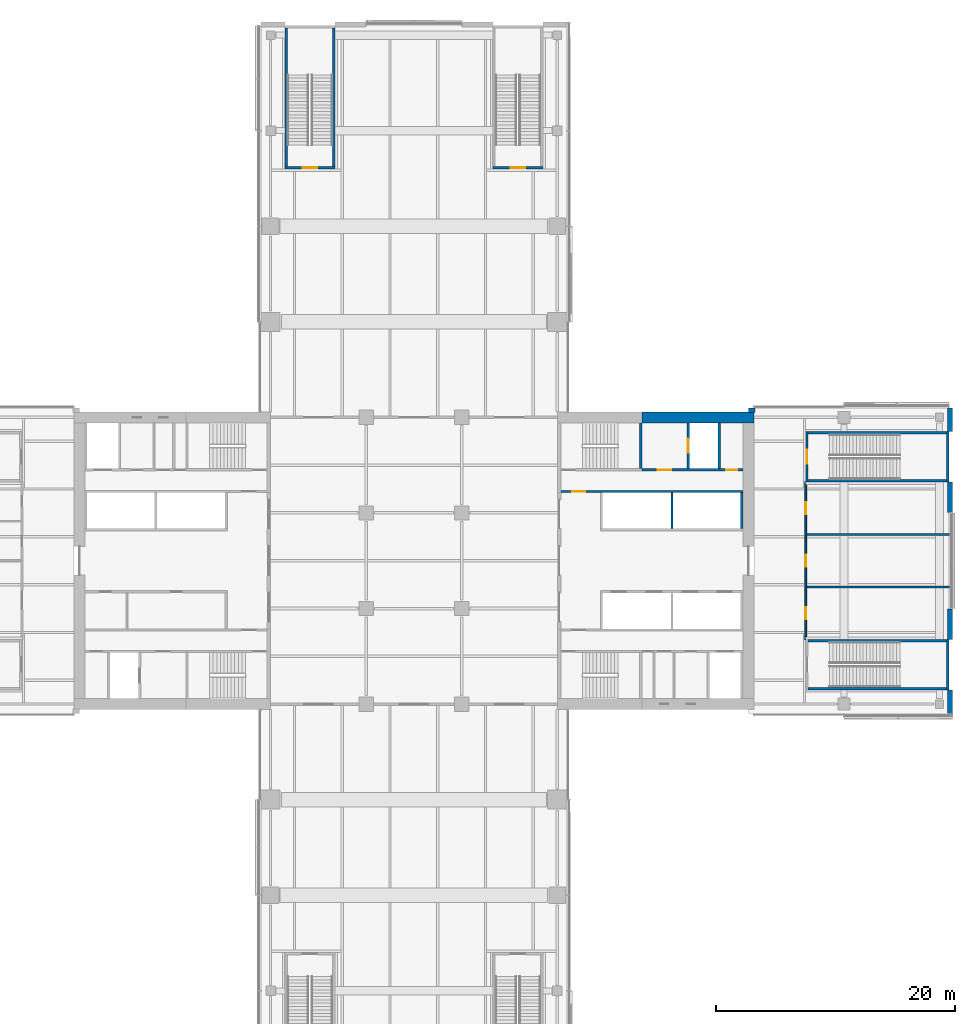
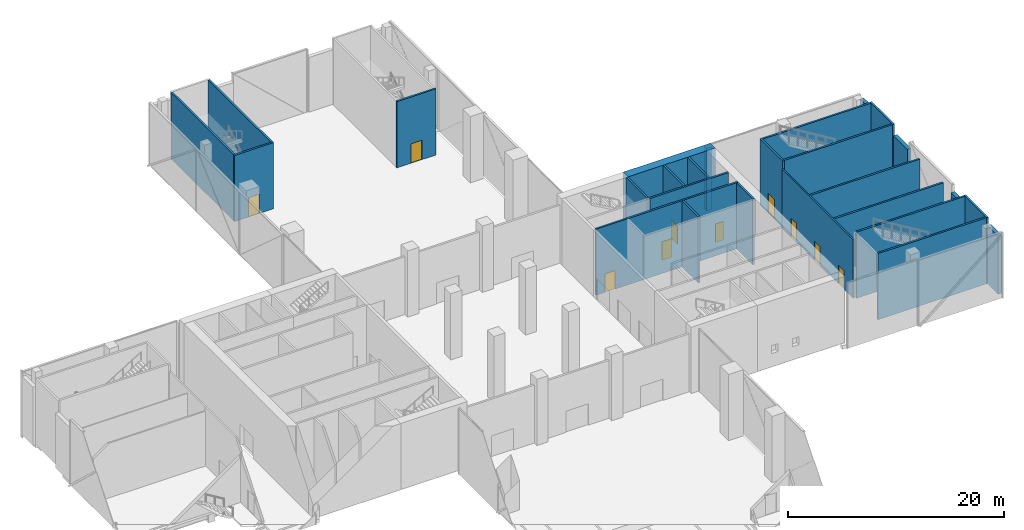
# One storey, part 17 of 25: 27 walls, 10 doors, 10 openings.
"""IFC4 building model written with IfcOpenShell, lengths in metres."""

from ifc_helpers import new_model, si_unit, direction, frame, frame_2d, origin, place, context, subcontext, project, spatial, rectangle, extrude, material, layer, layer_set, constituent, constituent_set, type_object, element, fill, save


model = new_model("IFC4")

# Units and contexts
model_context = context("Model", 3, precision=1e-05, world=origin(), true_north=direction((0.0, 1.0)))
body_context = subcontext(model_context, "Body", "Model", "MODEL_VIEW")
ifc_project = project(units=[si_unit("LENGTHUNIT", "METRE"), si_unit("AREAUNIT", "SQUARE_METRE"), si_unit("VOLUMEUNIT", "CUBIC_METRE"), si_unit("PLANEANGLEUNIT", "RADIAN"), si_unit("MASSUNIT", "GRAM", prefix="KILO")], contexts=[model_context])

# Site, building, storey
site_placement = place(None, origin())
site = spatial("IfcSite", under=ifc_project, at=site_placement, CompositionType="ELEMENT")
building_placement = place(site_placement, origin())
building = spatial("IfcBuilding", under=site, at=building_placement, Name="Crosswind Convention Tower", CompositionType="ELEMENT")
storey_placement = place(building_placement, frame((0.0, 0.0, 10.0)))
storey = spatial("IfcBuildingStorey", under=building, at=storey_placement, Name="L01", CompositionType="ELEMENT", Elevation=10.0)

# Wall, openings, doors
ifc_material_1 = material(Name="Plasterboard partition", Category="gypsum")
ifc_layer_1 = layer(ifc_material_1, 0.14990234375)
ifc_layer_set_1 = layer_set([ifc_layer_1], Name="CORRIDOR WALL 150")
wall_type_1 = type_object("IfcWallType", Name="CORRIDOR WALL 150", PredefinedType="PARTITIONING", material=ifc_layer_set_1)
wall_1_placement = place(storey_placement, frame((157.800048828125, 93.39990234375, 0.0), z_axis=(0.0, 0.0, 1.0), x_axis=(0.0, 1.0, 0.0)))
wall_1 = element("IfcWall", 1, at=wall_1_placement, inside=storey, type_object=wall_type_1, Name="Corridor Wall 41", PredefinedType="PARTITIONING", context=body_context, shape_type="SweptSolid", body=[
    extrude(rectangle(XDim=13.2001953125, YDim=0.14990234375, at=frame_2d((6.60009765625, 0.0))), origin(), (0.0, 0.0, 1.0), 6.636474609375),
])
opening_1_placement = place(wall_1_placement, frame((1.699951171875, 0.0, 0.0)))
opening_1 = element("IfcOpeningElement", 2, at=opening_1_placement, cuts=wall_1, Name="Opening 01.007", PredefinedType="OPENING", context=body_context, shape_type="SweptSolid", body=[
    extrude(rectangle(XDim=1.0, YDim=2.10009765625, at=frame_2d((0.5, 1.050048828125))), frame((0.0, 0.0849609375, 0.0), z_axis=(0.0, -1.0, 0.0), x_axis=(1.0, 0.0, 0.0)), (0.0, 0.0, 1.0), 0.169921875),
])
opening_2_placement = place(wall_1_placement, frame((6.10009765625, 0.0, 0.0)))
opening_2 = element("IfcOpeningElement", 3, at=opening_2_placement, cuts=wall_1, Name="Opening 01.008", PredefinedType="OPENING", context=body_context, shape_type="SweptSolid", body=[
    extrude(rectangle(XDim=1.0, YDim=2.10009765625, at=frame_2d((0.5, 1.050048828125))), frame((0.0, 0.0849609375, 0.0), z_axis=(0.0, -1.0, 0.0), x_axis=(1.0, 0.0, 0.0)), (0.0, 0.0, 1.0), 0.169921875),
])
opening_3_placement = place(wall_1_placement, frame((10.5, 0.0, 0.0)))
opening_3 = element("IfcOpeningElement", 4, at=opening_3_placement, cuts=wall_1, Name="Opening 01.009", PredefinedType="OPENING", context=body_context, shape_type="SweptSolid", body=[
    extrude(rectangle(XDim=1.0, YDim=2.10009765625, at=frame_2d((0.5, 1.050048828125))), frame((0.0, 0.0849609375, 0.0), z_axis=(0.0, -1.0, 0.0), x_axis=(1.0, 0.0, 0.0)), (0.0, 0.0, 1.0), 0.169921875),
])
ifc_material_2 = material(Name="Timber fire door", Category="wood")
door_type_1 = type_object("IfcDoorType", Name="MEETING ROOM DOOR 1000X2100", OperationType="NOTDEFINED", PredefinedType="DOOR", material=ifc_material_2)
door_1_placement = place(opening_1_placement, frame((1.0, 0.0, 0.0), z_axis=(0.0, 0.0, 1.0), x_axis=(-1.0, 0.0, 0.0)))
door_1 = element("IfcDoor", 5, at=door_1_placement, inside=storey, type_object=door_type_1, Name="Door 01.007", ObjectType="D13", OperationType="SINGLE_SWING_LEFT", OverallHeight=2.10009765625, OverallWidth=1.0, PredefinedType="DOOR", context=body_context, shape_type="SweptSolid", body=[
    extrude(rectangle(XDim=1.0, YDim=2.10009765625, at=frame_2d((0.5, 1.050048828125))), frame((0.0, 0.02490234375, 0.0), z_axis=(0.0, -1.0, 0.0), x_axis=(1.0, 0.0, 0.0)), (0.0, 0.0, 1.0), 0.050048828125),
])
fill(opening_1, door_1)
door_2_placement = place(opening_2_placement, frame((1.0, 0.0, 0.0), z_axis=(0.0, 0.0, 1.0), x_axis=(-1.0, 0.0, 0.0)))
door_2 = element("IfcDoor", 6, at=door_2_placement, inside=storey, type_object=door_type_1, Name="Door 01.008", ObjectType="D13", OperationType="SINGLE_SWING_LEFT", OverallHeight=2.10009765625, OverallWidth=1.0, PredefinedType="DOOR", context=body_context, shape_type="SweptSolid", body=[
    extrude(rectangle(XDim=1.0, YDim=2.10009765625, at=frame_2d((0.5, 1.050048828125))), frame((0.0, 0.02490234375, 0.0), z_axis=(0.0, -1.0, 0.0), x_axis=(1.0, 0.0, 0.0)), (0.0, 0.0, 1.0), 0.050048828125),
])
fill(opening_2, door_2)
door_3_placement = place(opening_3_placement, frame((1.0, 0.0, 0.0), z_axis=(0.0, 0.0, 1.0), x_axis=(-1.0, 0.0, 0.0)))
door_3 = element("IfcDoor", 7, at=door_3_placement, inside=storey, type_object=door_type_1, Name="Door 01.009", ObjectType="D13", OperationType="SINGLE_SWING_RIGHT", OverallHeight=2.10009765625, OverallWidth=1.0, PredefinedType="DOOR", context=body_context, shape_type="SweptSolid", body=[
    extrude(rectangle(XDim=1.0, YDim=2.10009765625, at=frame_2d((0.5, 1.050048828125))), frame((0.0, 0.02490234375, 0.0), z_axis=(0.0, -1.0, 0.0), x_axis=(1.0, 0.0, 0.0)), (0.0, 0.0, 1.0), 0.050048828125),
])
fill(opening_3, door_3)

# Walls
ifc_material_3 = material(Name="Concrete C50/60", Category="concrete")
ifc_layer_2 = layer(ifc_material_3, 0.199951171875)
ifc_layer_set_2 = layer_set([ifc_layer_2], Name="Concrete C50/60")
wall_type_2 = type_object("IfcWallType", Name="Concrete shaft and stair wall 200", PredefinedType="SHEAR", material=ifc_layer_set_2)
for number, where, z_axis, x_axis, name in (
    (8, (146.60009765625, 102.699951171875, 0.0), (0.0, 0.0, 1.0), (0.0, 1.0, 0.0), "Wall RPSEP E L01"),
    (9, (152.449951171875, 102.699951171875, 0.0), (0.0, 0.0, 1.0), (0.0, 1.0, 0.0), "Wall RPEAST E L01"),
):
    element("IfcWall", number, at=place(storey_placement, frame(where, z_axis=z_axis, x_axis=x_axis)), inside=storey, type_object=wall_type_2, Name=name, PredefinedType="SHEAR", context=body_context, shape_type="SweptSolid", body=[
        extrude(rectangle(XDim=3.0, YDim=0.199951171875, at=frame_2d((1.5, 0.0))), origin(), (0.0, 0.0, 1.0), 7.5),
    ])

# Wall, opening, door
wall_2_placement = place(storey_placement, frame((137.300048828125, 105.800048828125, 0.0), z_axis=(0.0, 0.0, 1.0), x_axis=(1.0, 0.0, 0.0)))
wall_2 = element("IfcWall", 10, at=wall_2_placement, inside=storey, type_object=wall_type_2, Name="Wall HP E L01", PredefinedType="SHEAR", context=body_context, shape_type="SweptSolid", body=[
    extrude(rectangle(XDim=15.25, YDim=0.199951171875, at=frame_2d((7.625, 0.0))), origin(), (0.0, 0.0, 1.0), 7.5),
])
opening_4_placement = place(wall_2_placement, frame((0.949951171875, 0.0, 0.0)))
opening_4 = element("IfcOpeningElement", 11, at=opening_4_placement, cuts=wall_2, Name="Opening D104", PredefinedType="OPENING", context=body_context, shape_type="SweptSolid", body=[
    extrude(rectangle(XDim=1.10009765625, YDim=2.10009765625, at=frame_2d((0.550048828125, 1.050048828125))), frame((0.0, 0.10986328125, 0.0), z_axis=(0.0, -1.0, 0.0), x_axis=(1.0, 0.0, 0.0)), (0.0, 0.0, 1.0), 0.219970703125),
])
ifc_material_4 = material(Name="Steel fire door", Category="steel")
door_type_2 = type_object("IfcDoorType", Name="Fire-rated single door 1100x2100", OperationType="NOTDEFINED", PredefinedType="DOOR", material=ifc_material_4)
door_4_placement = place(opening_4_placement, origin())
door_4 = element("IfcDoor", 12, at=door_4_placement, inside=storey, type_object=door_type_2, Name="Corridor door L01", ObjectType="D104", OperationType="SINGLE_SWING_LEFT", OverallHeight=2.10009765625, OverallWidth=1.10009765625, PredefinedType="DOOR", context=body_context, shape_type="SweptSolid", body=[
    extrude(rectangle(XDim=1.10009765625, YDim=2.10009765625, at=frame_2d((0.550048828125, 1.050048828125))), frame((0.0, 0.02490234375, 0.0), z_axis=(0.0, -1.0, 0.0), x_axis=(1.0, 0.0, 0.0)), (0.0, 0.0, 1.0), 0.050048828125),
])
fill(opening_4, door_4)

# Wall
wall_3_placement = place(storey_placement, frame((144.0, 107.699951171875, 0.0), z_axis=(0.0, 0.0, 1.0), x_axis=(0.0, 1.0, 0.0)))
element("IfcWall", 13, at=wall_3_placement, inside=storey, type_object=wall_type_2, Name="Wall PSE E L01", PredefinedType="SHEAR", context=body_context, shape_type="SweptSolid", body=[
    extrude(rectangle(XDim=3.85009765625, YDim=0.199951171875, at=frame_2d((1.925048828125, 0.0))), origin(), (0.0, 0.0, 1.0), 7.5),
])

# Wall, opening, door
wall_4_placement = place(storey_placement, frame((147.949951171875, 107.699951171875, 0.0), z_axis=(0.0, 0.0, 1.0), x_axis=(0.0, 1.0, 0.0)))
wall_4 = element("IfcWall", 14, at=wall_4_placement, inside=storey, type_object=wall_type_2, Name="Wall PFLW E L01", PredefinedType="SHEAR", context=body_context, shape_type="SweptSolid", body=[
    extrude(rectangle(XDim=3.85009765625, YDim=0.199951171875, at=frame_2d((1.925048828125, 0.0))), origin(), (0.0, 0.0, 1.0), 7.5),
])
opening_5_placement = place(wall_4_placement, frame((1.324951171875, 0.0, 0.0)))
opening_5 = element("IfcOpeningElement", 15, at=opening_5_placement, cuts=wall_4, Name="Opening LD1", PredefinedType="OPENING", context=body_context, shape_type="SweptSolid", body=[
    extrude(rectangle(XDim=1.199951171875, YDim=2.10009765625, at=frame_2d((0.60009765625, 1.050048828125))), frame((0.0, 0.10986328125, 0.0), z_axis=(0.0, -1.0, 0.0), x_axis=(1.0, 0.0, 0.0)), (0.0, 0.0, 1.0), 0.219970703125),
])
ifc_material_5 = material(Name="Stainless steel", Category="steel")
door_type_3 = type_object("IfcDoorType", Name="Lift landing door 1200x2100", OperationType="DOUBLE_DOOR_SLIDING", PredefinedType="DOOR", material=ifc_material_5)
door_5_placement = place(opening_5_placement, origin())
door_5 = element("IfcDoor", 16, at=door_5_placement, inside=storey, type_object=door_type_3, Name="Landing door FF1 L01", ObjectType="LD1", OperationType="DOUBLE_DOOR_SLIDING", OverallHeight=2.10009765625, OverallWidth=1.199951171875, PredefinedType="DOOR", context=body_context, shape_type="SweptSolid", body=[
    extrude(rectangle(XDim=1.199951171875, YDim=2.10009765625, at=frame_2d((0.60009765625, 1.050048828125))), frame((0.0, 0.02490234375, 0.0), z_axis=(0.0, -1.0, 0.0), x_axis=(1.0, 0.0, 0.0)), (0.0, 0.0, 1.0), 0.050048828125),
])
fill(opening_5, door_5)

# Wall
wall_5_placement = place(storey_placement, frame((150.550048828125, 107.699951171875, 0.0), z_axis=(0.0, 0.0, 1.0), x_axis=(0.0, 1.0, 0.0)))
element("IfcWall", 17, at=wall_5_placement, inside=storey, type_object=wall_type_2, Name="Wall PFSE E L01", PredefinedType="SHEAR", context=body_context, shape_type="SweptSolid", body=[
    extrude(rectangle(XDim=3.85009765625, YDim=0.199951171875, at=frame_2d((1.925048828125, 0.0))), origin(), (0.0, 0.0, 1.0), 7.5),
])

# Wall, openings, doors
wall_6_placement = place(storey_placement, frame((144.10009765625, 107.60009765625, 0.0), z_axis=(0.0, 0.0, 1.0), x_axis=(1.0, 0.0, 0.0)))
wall_6 = element("IfcWall", 18, at=wall_6_placement, inside=storey, type_object=wall_type_2, Name="Wall PCX E L01", PredefinedType="SHEAR", context=body_context, shape_type="SweptSolid", body=[
    extrude(rectangle(XDim=8.449951171875, YDim=0.199951171875, at=frame_2d((4.22509765625, 0.0))), origin(), (0.0, 0.0, 1.0), 7.5),
])
opening_6_placement = place(wall_6_placement, frame((1.324951171875, 0.0, 0.0)))
opening_6 = element("IfcOpeningElement", 19, at=opening_6_placement, cuts=wall_6, Name="Opening D104", PredefinedType="OPENING", context=body_context, shape_type="SweptSolid", body=[
    extrude(rectangle(XDim=1.10009765625, YDim=2.10009765625, at=frame_2d((0.550048828125, 1.050048828125))), frame((0.0, 0.10986328125, 0.0), z_axis=(0.0, -1.0, 0.0), x_axis=(1.0, 0.0, 0.0)), (0.0, 0.0, 1.0), 0.219970703125),
])
opening_7_placement = place(wall_6_placement, frame((7.050048828125, 0.0, 0.0)))
opening_7 = element("IfcOpeningElement", 20, at=opening_7_placement, cuts=wall_6, Name="Opening D106", PredefinedType="OPENING", context=body_context, shape_type="SweptSolid", body=[
    extrude(rectangle(XDim=0.89990234375, YDim=2.10009765625, at=frame_2d((0.449951171875, 1.050048828125))), frame((0.0, 0.10986328125, 0.0), z_axis=(0.0, -1.0, 0.0), x_axis=(1.0, 0.0, 0.0)), (0.0, 0.0, 1.0), 0.219970703125),
])
door_6_placement = place(opening_6_placement, origin())
door_6 = element("IfcDoor", 21, at=door_6_placement, inside=storey, type_object=door_type_2, Name="Fire-fighting lobby FF1 door L01", ObjectType="D104", OperationType="SINGLE_SWING_RIGHT", OverallHeight=2.10009765625, OverallWidth=1.10009765625, PredefinedType="DOOR", context=body_context, shape_type="SweptSolid", body=[
    extrude(rectangle(XDim=1.10009765625, YDim=2.10009765625, at=frame_2d((0.550048828125, 1.050048828125))), frame((0.0, 0.02490234375, 0.0), z_axis=(0.0, -1.0, 0.0), x_axis=(1.0, 0.0, 0.0)), (0.0, 0.0, 1.0), 0.050048828125),
])
fill(opening_6, door_6)
ifc_material_6 = material(Name="Timber door", Category="wood")
door_type_4 = type_object("IfcDoorType", Name="Single leaf door 900x2100", OperationType="NOTDEFINED", PredefinedType="DOOR", material=ifc_material_6)
door_7_placement = place(opening_7_placement, origin())
door_7 = element("IfcDoor", 22, at=door_7_placement, inside=storey, type_object=door_type_4, Name="Door to comms room L01", ObjectType="D106", OperationType="SINGLE_SWING_RIGHT", OverallHeight=2.10009765625, OverallWidth=0.89990234375, PredefinedType="DOOR", context=body_context, shape_type="SweptSolid", body=[
    extrude(rectangle(XDim=0.89990234375, YDim=2.10009765625, at=frame_2d((0.449951171875, 1.050048828125))), frame((0.0, 0.02490234375, 0.0), z_axis=(0.0, -1.0, 0.0), x_axis=(1.0, 0.0, 0.0)), (0.0, 0.0, 1.0), 0.050048828125),
])
fill(opening_7, door_7)

# Walls
ifc_material_7 = material(Name="Double plasterboard partition", Category="gypsum")
ifc_layer_3 = layer(ifc_material_7, 0.199951171875)
ifc_layer_set_3 = layer_set([ifc_layer_3], Name="HALL WALL 200")
wall_type_3 = type_object("IfcWallType", Name="HALL WALL 200", PredefinedType="PARTITIONING", material=ifc_layer_set_3)
for number, where, z_axis, x_axis, name in (
    (23, (157.875, 97.800048828125, 0.0), (0.0, 0.0, 1.0), (1.0, 0.0, 0.0), "Hall Wall 12"),
    (24, (157.875, 102.199951171875, 0.0), (0.0, 0.0, 1.0), (1.0, 0.0, 0.0), "Hall Wall 14"),
):
    element("IfcWall", number, at=place(storey_placement, frame(where, z_axis=z_axis, x_axis=x_axis)), inside=storey, type_object=wall_type_3, Name=name, PredefinedType="PARTITIONING", context=body_context, shape_type="SweptSolid", body=[
        extrude(rectangle(XDim=12.02490234375, YDim=0.199951171875, at=frame_2d((6.012451171875, 0.0))), origin(), (0.0, 0.0, 1.0), 6.199951171875),
    ])
ifc_material_8 = material(Name="Concrete C40/50", Category="concrete")
ifc_layer_4 = layer(ifc_material_8, 0.199951171875)
ifc_layer_set_4 = layer_set([ifc_layer_4], Name="Concrete C40/50")
wall_type_4 = type_object("IfcWallType", Name="STAIR ENCLOSURE WALL 200", PredefinedType="SOLIDWALL", material=ifc_layer_set_4)
for number, where, z_axis, x_axis, name in (
    (25, (158.0, 89.300048828125, 0.0), (0.0, 0.0, 1.0), (1.0, 0.0, 0.0), "Stair Enclosure Wall 9"),
    (26, (158.0, 93.300048828125, 0.0), (0.0, 0.0, 1.0), (1.0, 0.0, 0.0), "Stair Enclosure Wall 11"),
    (27, (158.0, 106.699951171875, 0.0), (0.0, 0.0, 1.0), (1.0, 0.0, 0.0), "Stair Enclosure Wall 17"),
    (28, (158.0, 110.699951171875, 0.0), (0.0, 0.0, 1.0), (1.0, 0.0, 0.0), "Stair Enclosure Wall 19"),
):
    element("IfcWall", number, at=place(storey_placement, frame(where, z_axis=z_axis, x_axis=x_axis)), inside=storey, type_object=wall_type_4, Name=name, PredefinedType="SOLIDWALL", context=body_context, shape_type="SweptSolid", body=[
        extrude(rectangle(XDim=11.60009765625, YDim=0.199951171875, at=frame_2d((5.800048828125, 0.0))), origin(), (0.0, 0.0, 1.0), 7.5),
    ])

# Wall, opening, door
wall_7_placement = place(storey_placement, frame((114.199951171875, 132.89990234375, 0.0), z_axis=(0.0, 0.0, 1.0), x_axis=(1.0, 0.0, 0.0)))
wall_7 = element("IfcWall", 29, at=wall_7_placement, inside=storey, type_object=wall_type_4, Name="Stair Enclosure Wall 23", PredefinedType="SOLIDWALL", context=body_context, shape_type="SweptSolid", body=[
    extrude(rectangle(XDim=4.199951171875, YDim=0.199951171875, at=frame_2d((2.10009765625, 0.0))), origin(), (0.0, 0.0, 1.0), 7.5),
])
opening_8_placement = place(wall_7_placement, frame((1.5, 0.0, 0.0)))
opening_8 = element("IfcOpeningElement", 30, at=opening_8_placement, cuts=wall_7, Name="Opening 01.015", PredefinedType="OPENING", context=body_context, shape_type="SweptSolid", body=[
    extrude(rectangle(XDim=1.199951171875, YDim=2.199951171875, at=frame_2d((0.60009765625, 1.10009765625))), frame((0.0, 0.10986328125, 0.0), z_axis=(0.0, -1.0, 0.0), x_axis=(1.0, 0.0, 0.0)), (0.0, 0.0, 1.0), 0.219970703125),
])
door_type_5 = type_object("IfcDoorType", Name="STAIR DOOR 1200X2200", OperationType="NOTDEFINED", PredefinedType="DOOR", material=ifc_material_4)
door_8_placement = place(opening_8_placement, origin())
door_8 = element("IfcDoor", 31, at=door_8_placement, inside=storey, type_object=door_type_5, Name="Door 01.015", ObjectType="D4", OperationType="SINGLE_SWING_RIGHT", OverallHeight=2.199951171875, OverallWidth=1.199951171875, PredefinedType="DOOR", context=body_context, shape_type="SweptSolid", body=[
    extrude(rectangle(XDim=1.199951171875, YDim=2.199951171875, at=frame_2d((0.60009765625, 1.10009765625))), frame((0.0, 0.02490234375, 0.0), z_axis=(0.0, -1.0, 0.0), x_axis=(1.0, 0.0, 0.0)), (0.0, 0.0, 1.0), 0.050048828125),
])
fill(opening_8, door_8)

wall_8_placement = place(storey_placement, frame((131.60009765625, 132.89990234375, 0.0), z_axis=(0.0, 0.0, 1.0), x_axis=(1.0, 0.0, 0.0)))
wall_8 = element("IfcWall", 32, at=wall_8_placement, inside=storey, type_object=wall_type_4, Name="Stair Enclosure Wall 24", PredefinedType="SOLIDWALL", context=body_context, shape_type="SweptSolid", body=[
    extrude(rectangle(XDim=4.199951171875, YDim=0.199951171875, at=frame_2d((2.10009765625, 0.0))), origin(), (0.0, 0.0, 1.0), 7.5),
])
opening_9_placement = place(wall_8_placement, frame((1.5, 0.0, 0.0)))
opening_9 = element("IfcOpeningElement", 33, at=opening_9_placement, cuts=wall_8, Name="Opening 01.016", PredefinedType="OPENING", context=body_context, shape_type="SweptSolid", body=[
    extrude(rectangle(XDim=1.199951171875, YDim=2.199951171875, at=frame_2d((0.60009765625, 1.10009765625))), frame((0.0, 0.10986328125, 0.0), z_axis=(0.0, -1.0, 0.0), x_axis=(1.0, 0.0, 0.0)), (0.0, 0.0, 1.0), 0.219970703125),
])
door_9_placement = place(opening_9_placement, origin())
door_9 = element("IfcDoor", 34, at=door_9_placement, inside=storey, type_object=door_type_5, Name="Door 01.016", ObjectType="D4", OperationType="SINGLE_SWING_RIGHT", OverallHeight=2.199951171875, OverallWidth=1.199951171875, PredefinedType="DOOR", context=body_context, shape_type="SweptSolid", body=[
    extrude(rectangle(XDim=1.199951171875, YDim=2.199951171875, at=frame_2d((0.60009765625, 1.10009765625))), frame((0.0, 0.02490234375, 0.0), z_axis=(0.0, -1.0, 0.0), x_axis=(1.0, 0.0, 0.0)), (0.0, 0.0, 1.0), 0.050048828125),
])
fill(opening_9, door_9)

# Walls
for number, where, z_axis, x_axis, name in (
    (35, (114.300048828125, 133.0, 0.0), (0.0, 0.0, 1.0), (0.0, 1.0, 0.0), "Stair Enclosure Wall 34"),
    (36, (118.300048828125, 133.0, 0.0), (0.0, 0.0, 1.0), (0.0, 1.0, 0.0), "Stair Enclosure Wall 36"),
):
    element("IfcWall", number, at=place(storey_placement, frame(where, z_axis=z_axis, x_axis=x_axis)), inside=storey, type_object=wall_type_4, Name=name, PredefinedType="SOLIDWALL", context=body_context, shape_type="SweptSolid", body=[
        extrude(rectangle(XDim=11.60009765625, YDim=0.199951171875, at=frame_2d((5.800048828125, 0.0))), origin(), (0.0, 0.0, 1.0), 7.5),
    ])

# Wall, opening, door
wall_9_placement = place(storey_placement, frame((157.89990234375, 106.60009765625, 0.0), z_axis=(0.0, 0.0, 1.0), x_axis=(0.0, 1.0, 0.0)))
wall_9 = element("IfcWall", 37, at=wall_9_placement, inside=storey, type_object=wall_type_4, Name="Stair Enclosure Wall 43", PredefinedType="SOLIDWALL", context=body_context, shape_type="SweptSolid", body=[
    extrude(rectangle(XDim=4.199951171875, YDim=0.199951171875, at=frame_2d((2.10009765625, 0.0))), origin(), (0.0, 0.0, 1.0), 7.5),
])
opening_10_placement = place(wall_9_placement, frame((1.5, 0.0, 0.0)))
opening_10 = element("IfcOpeningElement", 38, at=opening_10_placement, cuts=wall_9, Name="Opening 01.014", PredefinedType="OPENING", context=body_context, shape_type="SweptSolid", body=[
    extrude(rectangle(XDim=1.199951171875, YDim=2.199951171875, at=frame_2d((0.60009765625, 1.10009765625))), frame((0.0, 0.10986328125, 0.0), z_axis=(0.0, -1.0, 0.0), x_axis=(1.0, 0.0, 0.0)), (0.0, 0.0, 1.0), 0.219970703125),
])
door_10_placement = place(opening_10_placement, frame((1.199951171875, 0.0, 0.0), z_axis=(0.0, 0.0, 1.0), x_axis=(-1.0, 0.0, 0.0)))
door_10 = element("IfcDoor", 39, at=door_10_placement, inside=storey, type_object=door_type_5, Name="Door 01.014", ObjectType="D4", OperationType="SINGLE_SWING_LEFT", OverallHeight=2.199951171875, OverallWidth=1.199951171875, PredefinedType="DOOR", context=body_context, shape_type="SweptSolid", body=[
    extrude(rectangle(XDim=1.199951171875, YDim=2.199951171875, at=frame_2d((0.60009765625, 1.10009765625))), frame((0.0, 0.02490234375, 0.0), z_axis=(0.0, -1.0, 0.0), x_axis=(1.0, 0.0, 0.0)), (0.0, 0.0, 1.0), 0.050048828125),
])
fill(opening_10, door_10)

# Walls
for number, where, z_axis, x_axis, name in (
    (40, (169.699951171875, 89.199951171875, 0.0), (0.0, 0.0, 1.0), (0.0, 1.0, 0.0), "Stair Enclosure Wall 44"),
    (41, (169.699951171875, 106.60009765625, 0.0), (0.0, 0.0, 1.0), (0.0, 1.0, 0.0), "Stair Enclosure Wall 45"),
):
    element("IfcWall", number, at=place(storey_placement, frame(where, z_axis=z_axis, x_axis=x_axis)), inside=storey, type_object=wall_type_4, Name=name, PredefinedType="SOLIDWALL", context=body_context, shape_type="SweptSolid", body=[
        extrude(rectangle(XDim=4.199951171875, YDim=0.199951171875, at=frame_2d((2.10009765625, 0.0))), origin(), (0.0, 0.0, 1.0), 7.5),
    ])
ifc_material_9 = material(Name="Terracotta rainscreen", Category="ceramic")
ifc_layer_5 = layer(ifc_material_9, 0.02001953125)
ifc_material_10 = material(Name="Mineral wool insulation", Category="insulation")
ifc_layer_6 = layer(ifc_material_10, 0.10009765625)
ifc_material_11 = material(Name="Concrete blockwork", Category="masonry")
ifc_layer_7 = layer(ifc_material_11, 0.285888671875)
ifc_layer_set_5 = layer_set([ifc_layer_5, ifc_layer_6, ifc_layer_7], Name="TERRACOTTA CORNER INFILL WALL 406")
wall_type_5 = type_object("IfcWallType", Name="TERRACOTTA CORNER INFILL WALL 406", PredefinedType="SOLIDWALL", material=ifc_layer_set_5)
wall_10_placement = place(storey_placement, frame((153.0, 112.596923828125, 0.0), z_axis=(0.0, 0.0, 1.0), x_axis=(1.0, 0.0, 0.0)))
element("IfcWall", 42, at=wall_10_placement, inside=storey, type_object=wall_type_5, Name="Core corner infill wall L01 1", PredefinedType="SOLIDWALL", context=body_context, shape_type="SweptSolid", body=[
    extrude(rectangle(XDim=0.554931640625, YDim=0.406005859375, at=frame_2d((0.27734375, 0.0))), origin(), (0.0, 0.0, 1.0), 7.10009765625),
])
ifc_layer_8 = layer(ifc_material_9, 0.02001953125)
ifc_layer_9 = layer(ifc_material_10, 0.10009765625)
ifc_layer_10 = layer(ifc_material_11, 0.280029296875)
ifc_layer_set_6 = layer_set([ifc_layer_8, ifc_layer_9, ifc_layer_10], Name="TERRACOTTA INFILL WALL 400")
wall_type_6 = type_object("IfcWallType", Name="TERRACOTTA INFILL WALL 400", PredefinedType="SOLIDWALL", material=ifc_layer_set_6)
wall_11_placement = place(storey_placement, frame((169.885009765625, 87.199951171875, 0.0), z_axis=(0.0, 0.0, 1.0), x_axis=(0.0, 1.0, 0.0)))
element("IfcWall", 43, at=wall_11_placement, inside=storey, type_object=wall_type_6, Name="Stair enclosure side wall L01 E-TIP.1-1.1", PredefinedType="SOLIDWALL", context=body_context, shape_type="SweptSolid", body=[
    extrude(rectangle(XDim=2.0, YDim=0.39990234375, at=frame_2d((1.0, 0.0))), origin(), (0.0, 0.0, 1.0), 6.60009765625),
])
for number, where, z_axis, x_axis, name in (
    (44, (169.885009765625, 93.39990234375, 0.0), (0.0, 0.0, 1.0), (0.0, 1.0, 0.0), "Stair enclosure side wall L01 E-TIP.1-1.2"),
    (45, (169.885009765625, 104.0400390625, 0.0), (0.0, 0.0, 1.0), (0.0, 1.0, 0.0), "Stair enclosure side wall L01 E-TIP.1-3.1"),
):
    element("IfcWall", number, at=place(storey_placement, frame(where, z_axis=z_axis, x_axis=x_axis)), inside=storey, type_object=wall_type_6, Name=name, PredefinedType="SOLIDWALL", context=body_context, shape_type="SweptSolid", body=[
        extrude(rectangle(XDim=2.56005859375, YDim=0.39990234375, at=frame_2d((1.280029296875, 0.0))), origin(), (0.0, 0.0, 1.0), 6.199951171875),
    ])
wall_12_placement = place(storey_placement, frame((169.885009765625, 110.800048828125, 0.0), z_axis=(0.0, 0.0, 1.0), x_axis=(0.0, 1.0, 0.0)))
element("IfcWall", 46, at=wall_12_placement, inside=storey, type_object=wall_type_6, Name="Stair enclosure side wall L01 E-TIP.1-3.2", PredefinedType="SOLIDWALL", context=body_context, shape_type="SweptSolid", body=[
    extrude(rectangle(XDim=2.0, YDim=0.39990234375, at=frame_2d((1.0, 0.0))), origin(), (0.0, 0.0, 1.0), 6.60009765625),
])
ifc_material_12 = material(Name="Concrete C60/75", Category="concrete")
ifc_constituent_1 = constituent(ifc_material_12, Name="Structure")
ifc_constituent_2 = constituent(ifc_material_9, Name="Facing")
ifc_constituent_set = constituent_set(constituents=[ifc_constituent_1, ifc_constituent_2], Name="Concrete C60/75, Terracotta rainscreen")
wall_type_7 = type_object("IfcWallType", Name="Terracotta rainscreen on concrete core wall 900", PredefinedType="SHEAR", material=ifc_constituent_set)
wall_13_placement = place(storey_placement, frame((144.10009765625, 112.0, 0.0), z_axis=(0.0, 0.0, 1.0), x_axis=(1.0, 0.0, 0.0)))
element("IfcWall", 47, at=wall_13_placement, inside=storey, type_object=wall_type_7, Name="Wall N2 E L01", PredefinedType="SHEAR", context=body_context, shape_type="SweptSolid", body=[
    extrude(rectangle(XDim=9.349853515625, YDim=0.89990234375, at=frame_2d((4.6748046875, 0.0))), origin(), (0.0, 0.0, 1.0), 7.5),
])

save(model, "model.ifc")
